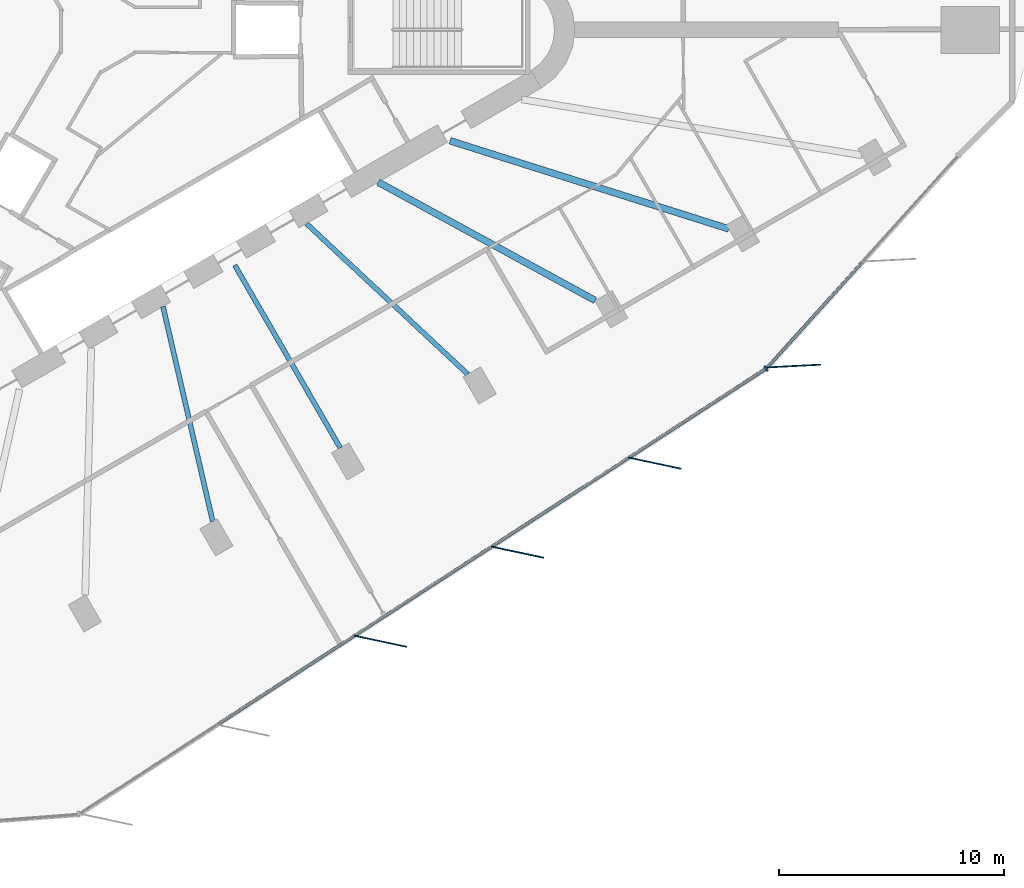
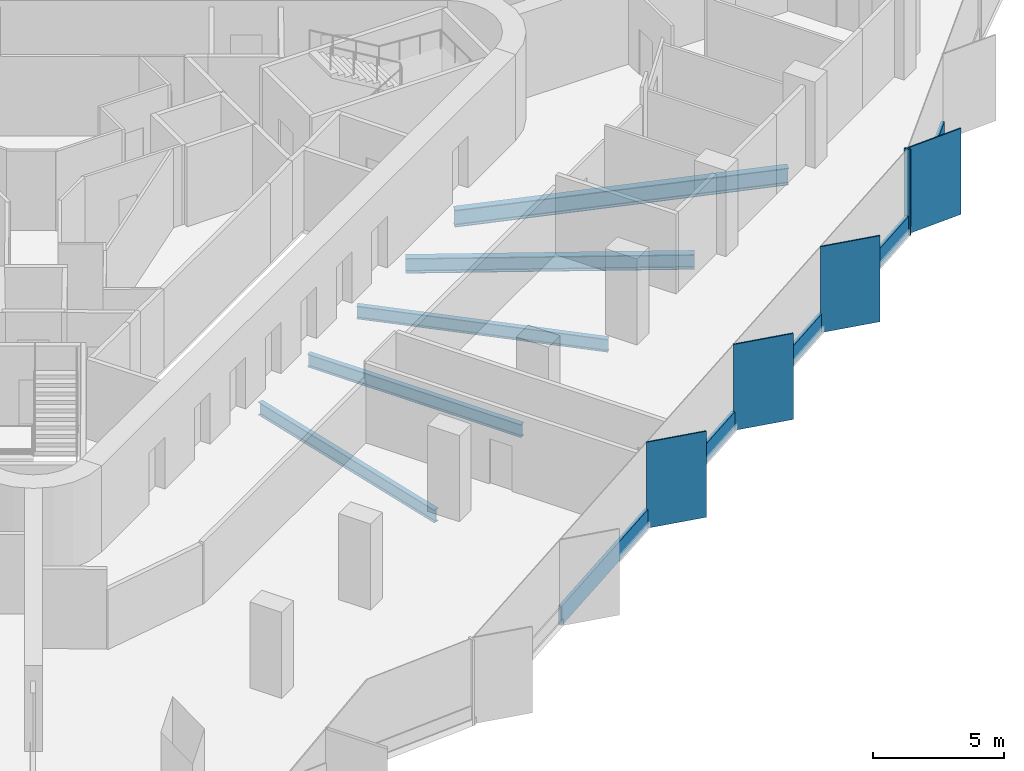
# One storey, part 3 of 14: 10 members, 5 beams, 2 elements without a shape of their own.
"""IFC4 building model written with IfcOpenShell, lengths in metres."""

from ifc_helpers import new_model, si_unit, direction, frame, origin, origin_2d, place, context, subcontext, project, spatial, rectangle, i_section, extrude, material, material_profile, profile_set, type_object, element, aggregate, save


model = new_model("IFC4")

# Units and contexts
model_context = context("Model", 3, precision=1e-05, world=origin(), true_north=direction((0.0, 1.0)))
body_context = subcontext(model_context, "Body", "Model", "MODEL_VIEW")
ifc_project = project(units=[si_unit("LENGTHUNIT", "METRE"), si_unit("AREAUNIT", "SQUARE_METRE"), si_unit("VOLUMEUNIT", "CUBIC_METRE"), si_unit("PLANEANGLEUNIT", "RADIAN"), si_unit("MASSUNIT", "GRAM", prefix="KILO")], contexts=[model_context])

# Site, building, storey
site_placement = place(None, origin())
site = spatial("IfcSite", under=ifc_project, at=site_placement, CompositionType="ELEMENT")
building_placement = place(site_placement, origin())
building = spatial("IfcBuilding", under=site, at=building_placement, Name="Tanit Gate Tower", CompositionType="ELEMENT")
storey_placement = place(building_placement, frame((0.0, 0.0, 209.199951171875)))
storey = spatial("IfcBuildingStorey", under=building, at=storey_placement, Name="L46", CompositionType="ELEMENT", Elevation=209.199951171875)

# Curtain wall, members
ifc_material_1 = material(Name="Aluminium bronze anodised and glass", Category="aluminium")
curtain_wall_type = type_object("IfcCurtainWallType", Name="Curtain wall typical mid", PredefinedType="NOTDEFINED", material=ifc_material_1)
curtain_wall_1_placement = place(storey_placement, origin())
curtain_wall_1 = element("IfcCurtainWall", 1, at=curtain_wall_1_placement, inside=storey, type_object=curtain_wall_type, Name="Curtain wall L46 SE2", PredefinedType="NOTDEFINED")
ifc_material_2 = material(Name="Aluminium bronze anodised", Category="aluminium")
ifc_material_profile_1 = material_profile(ifc_material_2, rectangle(XDim=2.39990234375, YDim=0.055908203125, at=origin_2d()), Name="56x2400 bronze fin mullion")
ifc_profile_set_1 = profile_set([ifc_material_profile_1], Name="Aluminium bronze anodised")
member_type_1 = type_object("IfcMemberType", Name="FIN MULLION 56x2400 bronze", PredefinedType="MULLION", material=ifc_profile_set_1)
member_1_placement = place(storey_placement, frame((12.534423828125, -27.232421875, -0.300048828125), z_axis=(0.0, 0.0, 1.0), x_axis=(-0.978078216824, 0.208237849046, 0.0)))
member_1 = element("IfcMember", 2, at=member_1_placement, type_object=member_type_1, Name="Fin mullion L46 SE2.3", PredefinedType="MULLION", context=body_context, shape_type="SweptSolid", body=[
    extrude(rectangle(XDim=2.39990234375, YDim=0.055908203125, at=origin_2d()), origin(), (0.0, 0.0, 1.0), 4.0),
])
member_2_placement = place(storey_placement, frame((18.646240234375, -23.266357421875, -0.300048828125), z_axis=(0.0, 0.0, 1.0), x_axis=(-0.978078216824, 0.208237849046, 0.0)))
member_2 = element("IfcMember", 3, at=member_2_placement, type_object=member_type_1, Name="Fin mullion L46 SE2.4", PredefinedType="MULLION", context=body_context, shape_type="SweptSolid", body=[
    extrude(rectangle(XDim=2.39990234375, YDim=0.055908203125, at=origin_2d()), origin(), (0.0, 0.0, 1.0), 4.0),
])
member_3_placement = place(storey_placement, frame((24.7578125, -19.300048828125, -0.300048828125), z_axis=(0.0, 0.0, 1.0), x_axis=(-0.978078216824, 0.208237849046, 0.0)))
member_3 = element("IfcMember", 4, at=member_3_placement, type_object=member_type_1, Name="Fin mullion L46 SE2.5", PredefinedType="MULLION", context=body_context, shape_type="SweptSolid", body=[
    extrude(rectangle(XDim=2.39990234375, YDim=0.055908203125, at=origin_2d()), origin(), (0.0, 0.0, 1.0), 4.0),
])

# Curtain wall, member
curtain_wall_2_placement = place(storey_placement, origin())
curtain_wall_2 = element("IfcCurtainWall", 5, at=curtain_wall_2_placement, inside=storey, type_object=curtain_wall_type, Name="Curtain wall L46 SE3", PredefinedType="NOTDEFINED")
member_4_placement = place(storey_placement, frame((30.954345703125, -14.97607421875, -0.300048828125), z_axis=(0.0, 0.0, 1.0), x_axis=(-0.998662240178, -0.051708123563, 0.0)))
member_4 = element("IfcMember", 6, at=member_4_placement, type_object=member_type_1, Name="Fin mullion L46 SE3.1", PredefinedType="MULLION", context=body_context, shape_type="SweptSolid", body=[
    extrude(rectangle(XDim=2.39990234375, YDim=0.055908203125, at=origin_2d()), origin(), (0.0, 0.0, 1.0), 4.0),
])

# Member
ifc_material_3 = material(Name="Aluminium bronze anodised", Category="aluminium")
ifc_material_profile_2 = material_profile(ifc_material_3, rectangle(XDim=0.260009765625, YDim=0.080078125, at=origin_2d()), Name="80x260 bronze mullion")
ifc_profile_set_2 = profile_set([ifc_material_profile_2], Name="Aluminium bronze anodised")
member_type_2 = type_object("IfcMemberType", Name="Mullion 80x260 typical mid", PredefinedType="MULLION", material=ifc_profile_set_2)
member_5_placement = place(storey_placement, frame((29.716796875, -15.088623046875, -0.300048828125), z_axis=(0.0, 0.0, 1.0), x_axis=(-0.544359344487, 0.838852134807, 0.0)))
member_5 = element("IfcMember", 7, at=member_5_placement, type_object=member_type_2, Name="Mullion L46 SE2.6", PredefinedType="MULLION", context=body_context, shape_type="SweptSolid", body=[
    extrude(rectangle(XDim=0.260009765625, YDim=0.080078125, at=origin_2d()), origin(), (0.0, 0.0, 1.0), 4.0),
])

# Beams
ifc_material_4 = material(Name="Steel S355", Category="steel")
ifc_material_profile_3 = material_profile(ifc_material_4, i_section(OverallWidth=0.300048828125, OverallDepth=0.68994140625, WebThickness=0.014404296875, FlangeThickness=0.027099609375, FilletRadius=0.027099609375, at=origin_2d()), Name="HEA 700")
ifc_profile_set_3 = profile_set([ifc_material_profile_3], Name="Steel S355")
beam_type_1 = type_object("IfcBeamType", Name="RADIAL GIRDER HEA 700 S355", PredefinedType="BEAM", material=ifc_profile_set_3)
beam_1_placement = place(storey_placement, frame((22.1064453125, -12.059326171875, -0.64501953125), z_axis=(-0.877879464436, 0.478881661709, 0.0), x_axis=(-0.478881661709, -0.877879464436, 0.0)))
element("IfcBeam", 8, at=beam_1_placement, inside=storey, type_object=beam_type_1, Name="RADIAL GIRDER", PredefinedType="BEAM", context=body_context, shape_type="SweptSolid", body=[
    extrude(i_section(OverallWidth=0.300048828125, OverallDepth=0.68994140625, WebThickness=0.014404296875, FlangeThickness=0.027099609375, FilletRadius=0.027099609375, at=origin_2d()), origin(), (0.0, 0.0, 1.0), 11.00537109375),
])
ifc_material_5 = material(Name="Steel S355", Category="steel")
ifc_material_profile_4 = material_profile(ifc_material_5, i_section(OverallWidth=0.300048828125, OverallDepth=0.7900390625, WebThickness=0.014892578125, FlangeThickness=0.028076171875, FilletRadius=0.030029296875, at=origin_2d()), Name="HEA 800")
ifc_profile_set_4 = profile_set([ifc_material_profile_4], Name="Steel S355")
beam_type_2 = type_object("IfcBeamType", Name="RADIAL GIRDER HEA 800 S355", PredefinedType="BEAM", material=ifc_profile_set_4)
beam_2_placement = place(storey_placement, frame((28.054443359375, -8.86572265625, -0.695068359375), z_axis=(-0.953523689029, 0.301318061957, 0.0), x_axis=(-0.301318061957, -0.953523689029, 0.0)))
element("IfcBeam", 9, at=beam_2_placement, inside=storey, type_object=beam_type_2, Name="RADIAL GIRDER", PredefinedType="BEAM", context=body_context, shape_type="SweptSolid", body=[
    extrude(i_section(OverallWidth=0.300048828125, OverallDepth=0.7900390625, WebThickness=0.014892578125, FlangeThickness=0.028076171875, FilletRadius=0.030029296875, at=origin_2d()), origin(), (0.0, 0.0, 1.0), 13.017333984375),
])
ifc_material_6 = material(Name="Steel S355", Category="steel")
ifc_material_profile_5 = material_profile(ifc_material_6, i_section(OverallWidth=0.219970703125, OverallDepth=0.60009765625, WebThickness=0.011962890625, FlangeThickness=0.01904296875, FilletRadius=0.02392578125, at=origin_2d()), Name="IPE 600")
ifc_profile_set_5 = profile_set([ifc_material_profile_5], Name="Steel S355")
beam_type_3 = type_object("IfcBeamType", Name="RADIAL GIRDER IPE 600 S355", PredefinedType="BEAM", material=ifc_profile_set_5)
beam_3_placement = place(storey_placement, frame((5.069580078125, -21.8955078125, -0.599853515625), z_axis=(-0.225567421981, 0.974227559732, 0.0), x_axis=(-0.974227559732, -0.225567421981, 0.0)))
element("IfcBeam", 10, at=beam_3_placement, inside=storey, type_object=beam_type_3, Name="RADIAL GIRDER", PredefinedType="BEAM", context=body_context, shape_type="SweptSolid", body=[
    extrude(i_section(OverallWidth=0.219970703125, OverallDepth=0.60009765625, WebThickness=0.011962890625, FlangeThickness=0.01904296875, FilletRadius=0.02392578125, at=origin_2d()), origin(), (0.0, 0.0, 1.0), 9.822265625),
])
beam_4_placement = place(storey_placement, frame((10.74853515625, -18.616943359375, -0.599853515625), z_axis=(-0.500004383815, 0.866022872773, 0.0), x_axis=(-0.866022872773, -0.500004383815, 0.0)))
element("IfcBeam", 11, at=beam_4_placement, inside=storey, type_object=beam_type_3, Name="RADIAL GIRDER", PredefinedType="BEAM", context=body_context, shape_type="SweptSolid", body=[
    extrude(i_section(OverallWidth=0.219970703125, OverallDepth=0.60009765625, WebThickness=0.011962890625, FlangeThickness=0.01904296875, FilletRadius=0.02392578125, at=origin_2d()), origin(), (0.0, 0.0, 1.0), 9.39501953125),
])
beam_5_placement = place(storey_placement, frame((16.427490234375, -15.338134765625, -0.599853515625), z_axis=(-0.730925486912, 0.68245727528, 0.0), x_axis=(-0.68245727528, -0.730925486912, 0.0)))
element("IfcBeam", 12, at=beam_5_placement, inside=storey, type_object=beam_type_3, Name="RADIAL GIRDER", PredefinedType="BEAM", context=body_context, shape_type="SweptSolid", body=[
    extrude(i_section(OverallWidth=0.219970703125, OverallDepth=0.60009765625, WebThickness=0.011962890625, FlangeThickness=0.01904296875, FilletRadius=0.02392578125, at=origin_2d()), origin(), (0.0, 0.0, 1.0), 9.822509765625),
])

# Member
ifc_material_7 = material(Name="Aluminium bronze anodised", Category="aluminium")
ifc_material_profile_6 = material_profile(ifc_material_7, rectangle(XDim=0.139892578125, YDim=0.89990234375, at=origin_2d()), Name="140x900 bronze transom")
ifc_profile_set_6 = profile_set([ifc_material_profile_6], Name="Aluminium bronze anodised")
member_type_3 = type_object("IfcMemberType", Name="Transom 140x900 typical mid", PredefinedType="USERDEFINED", material=ifc_profile_set_6)
member_6_placement = place(storey_placement, frame((5.30322265625, -30.93115234375, 0.150146484375), z_axis=(0.838866790011, 0.544336760302, 0.0), x_axis=(-0.544336760302, 0.838866790011, 0.0)))
member_6 = element("IfcMember", 13, at=member_6_placement, type_object=member_type_3, Name="Transom L46 SE2.2", ObjectType="TRANSOM", PredefinedType="USERDEFINED", context=body_context, shape_type="SweptSolid", body=[
    extrude(rectangle(XDim=0.139892578125, YDim=0.89990234375, at=origin_2d()), origin(), (0.0, 0.0, 1.0), 7.205810546875),
])

member_7_placement = place(storey_placement, frame((11.4150390625, -26.965087890625, 0.150146484375), z_axis=(0.83885131888, 0.544360601819, 0.0), x_axis=(-0.544360601819, 0.83885131888, 0.0)))
member_7 = element("IfcMember", 14, at=member_7_placement, type_object=member_type_3, Name="Transom L46 SE2.3", ObjectType="TRANSOM", PredefinedType="USERDEFINED", context=body_context, shape_type="SweptSolid", body=[
    extrude(rectangle(XDim=0.139892578125, YDim=0.89990234375, at=origin_2d()), origin(), (0.0, 0.0, 1.0), 7.205810546875),
])

member_8_placement = place(storey_placement, frame((17.52685546875, -22.9990234375, 0.150146484375), z_axis=(0.838841278647, 0.544376073351, 0.0), x_axis=(-0.544376073351, 0.838841278647, 0.0)))
member_8 = element("IfcMember", 15, at=member_8_placement, type_object=member_type_3, Name="Transom L46 SE2.4", ObjectType="TRANSOM", PredefinedType="USERDEFINED", context=body_context, shape_type="SweptSolid", body=[
    extrude(rectangle(XDim=0.139892578125, YDim=0.89990234375, at=origin_2d()), origin(), (0.0, 0.0, 1.0), 7.205810546875),
])

member_9_placement = place(storey_placement, frame((23.638427734375, -19.032958984375, 0.150146484375), z_axis=(0.83885131888, 0.544360601819, 0.0), x_axis=(-0.544360601819, 0.83885131888, 0.0)))
member_9 = element("IfcMember", 16, at=member_9_placement, type_object=member_type_3, Name="Transom L46 SE2.5", ObjectType="TRANSOM", PredefinedType="USERDEFINED", context=body_context, shape_type="SweptSolid", body=[
    extrude(rectangle(XDim=0.139892578125, YDim=0.89990234375, at=origin_2d()), origin(), (0.0, 0.0, 1.0), 7.205810546875),
])

aggregate(curtain_wall_1, [member_1, member_2, member_3, member_5, member_6, member_7, member_8, member_9])

member_10_placement = place(storey_placement, frame((29.803955078125, -15.00732421875, 0.150146484375), z_axis=(0.669596981094, 0.742724634646, 0.0), x_axis=(-0.742724634646, 0.669596981094, 0.0)))
member_10 = element("IfcMember", 17, at=member_10_placement, type_object=member_type_3, Name="Transom L46 SE3.1", ObjectType="TRANSOM", PredefinedType="USERDEFINED", context=body_context, shape_type="SweptSolid", body=[
    extrude(rectangle(XDim=0.139892578125, YDim=0.89990234375, at=origin_2d()), origin(), (0.0, 0.0, 1.0), 6.269775390625),
])

aggregate(curtain_wall_2, [member_4, member_10])

save(model, "model.ifc")
